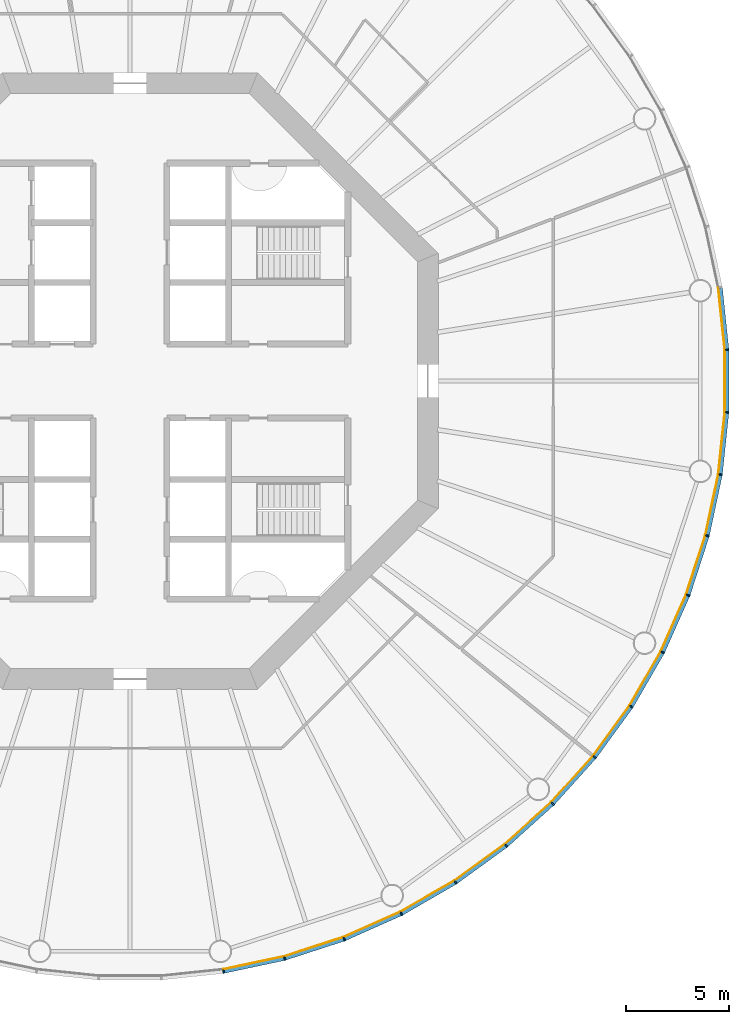
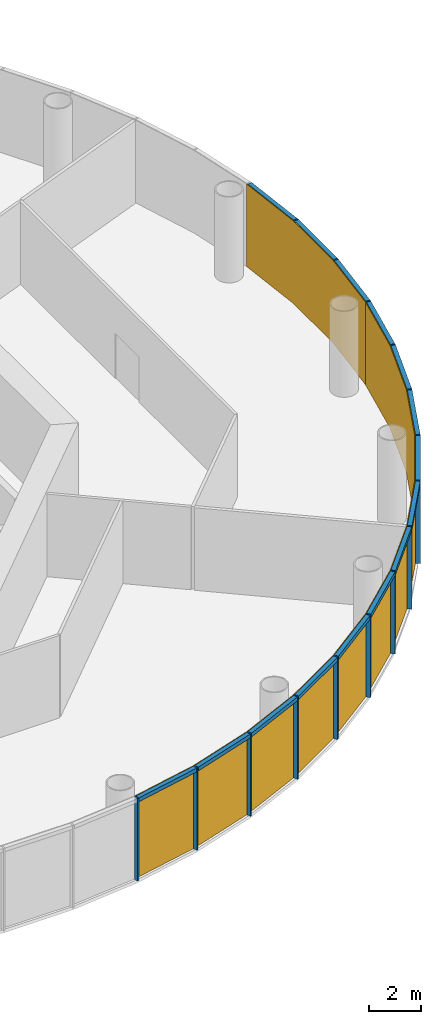
# One storey, part 8 of 12: 30 members, 5 curtain walls.
"""IFC4 building model written with IfcOpenShell, lengths in metres."""

import ifcopenshell
import ifcopenshell.guid

model = None  # the IFC model being written
_history = None  # IfcOwnerHistory: only IFC2X3 demands one
_inside = {}  # id of a spatial element -> (the spatial element, [elements in it])
_under = {}  # id of a project, library or spatial element -> (it, [spatial elements below it])
_declared = {}  # id of a project -> (the project, [libraries it declares])
_typed = {}  # id of a type object -> (the type object, [elements of that type])
_made_of = {}  # id of a material, layer set ... -> (it, [elements and type objects made of it])


def new_model(schema):
    """Start an empty IFC model of exactly this schema.

    Asked for "IFC4X3", IfcOpenShell would pick the latest addendum, in which some entities
    have other attributes; the version numbers below select the first issue.
    IFC2X3 requires an IfcOwnerHistory on every rooted entity: one is made here for all.
    """
    global model, _history
    if schema == "IFC4X3":
        model = ifcopenshell.file(schema_version=(4, 3, 0, 0))
    else:
        model = ifcopenshell.file(schema=schema)
    _inside.clear()
    _under.clear()
    _declared.clear()
    _typed.clear()
    _made_of.clear()
    _history = None
    if model.schema == "IFC2X3":
        org = make("IfcOrganization", Name="unknown")
        user = make(
            "IfcPersonAndOrganization",
            ThePerson=make("IfcPerson", FamilyName="unknown"),
            TheOrganization=org,
        )
        app = make(
            "IfcApplication",
            ApplicationDeveloper=org,
            Version="unknown",
            ApplicationFullName="unknown",
            ApplicationIdentifier="unknown",
        )
        _history = make(
            "IfcOwnerHistory",
            OwningUser=user,
            OwningApplication=app,
            ChangeAction="ADDED",
            CreationDate=0,
        )
    return model


def make(cls, **values):
    """One entity of the class cls with the attributes given. An attribute that is None is left unset."""
    return model.create_entity(
        cls, **{name: value for name, value in values.items() if value is not None}
    )


def rooted(cls, **values):
    """An entity with a GlobalId (a new one), such as an element, a storey or a relation."""
    return make(cls, GlobalId=ifcopenshell.guid.new(), OwnerHistory=_history, **values)


def si_unit(unit_type, name, prefix=None):
    """IfcSIUnit, for example si_unit("LENGTHUNIT", "METRE", prefix="MILLI")."""
    return make("IfcSIUnit", UnitType=unit_type, Prefix=prefix, Name=name)


def assignment(units):
    """IfcUnitAssignment: the units of a project."""
    return None if units is None else make("IfcUnitAssignment", Units=units)


def point(xyz):
    """IfcCartesianPoint."""
    return None if xyz is None else make("IfcCartesianPoint", Coordinates=xyz)


def direction(xyz):
    """IfcDirection."""
    return None if xyz is None else make("IfcDirection", DirectionRatios=xyz)


def frame(location, z_axis=None, x_axis=None):
    """IfcAxis2Placement3D, a coordinate frame: its origin and axes. An axis left out is left unset."""
    return make(
        "IfcAxis2Placement3D",
        Location=point(location),
        Axis=direction(z_axis),
        RefDirection=direction(x_axis),
    )


def frame_2d(location, x_axis=None):
    """IfcAxis2Placement2D, a coordinate frame in the plane: its origin and x axis."""
    return make(
        "IfcAxis2Placement2D", Location=point(location), RefDirection=direction(x_axis)
    )


def origin():
    """The frame at (0, 0, 0) with its axes left unset."""
    return frame((0.0, 0.0, 0.0))


def origin_2d():
    """The frame at (0, 0) in the plane with its x axis left unset."""
    return frame_2d((0.0, 0.0))


def place(relative_to, where):
    """IfcLocalPlacement: puts the frame where relative to a parent placement (None: the world)."""
    return make(
        "IfcLocalPlacement", PlacementRelTo=relative_to, RelativePlacement=where
    )


def context(
    kind, dimensions, precision=None, world=None, true_north=None, identifier=None
):
    """IfcGeometricRepresentationContext, for example the 3D "Model" context."""
    return make(
        "IfcGeometricRepresentationContext",
        ContextIdentifier=identifier,
        ContextType=kind,
        CoordinateSpaceDimension=dimensions,
        Precision=precision,
        WorldCoordinateSystem=world,
        TrueNorth=true_north,
    )


def subcontext(parent, identifier, kind, view, scale=None):
    """IfcGeometricRepresentationSubContext, for example "Body" below "Model"."""
    return make(
        "IfcGeometricRepresentationSubContext",
        ContextIdentifier=identifier,
        ContextType=kind,
        ParentContext=parent,
        TargetScale=scale,
        TargetView=view,
    )


def project(units=None, contexts=None):
    """IfcProject with its units and contexts."""
    return rooted(
        "IfcProject",
        Name="project",
        RepresentationContexts=contexts,
        UnitsInContext=assignment(units),
    )


def spatial(cls, under=None, at=None, **own):
    """A site, building, storey or space (cls), placed at a placement, below another one or the project."""
    s = rooted(cls, ObjectPlacement=at, **own)
    if under is not None:
        _under.setdefault(under.id(), (under, []))[1].append(s)
    return s


def polyline(points):
    """IfcPolyline through the points."""
    return make("IfcPolyline", Points=[point(p) for p in points])


def profile(cls, at=None, kind="AREA", **sizes):
    """A parametric profile (cls). Its sizes go by their IFC names, for example OverallWidth=200.0."""
    return make(cls, ProfileType=kind, Position=at, **sizes)


def rectangle(**sizes):
    """IfcRectangleProfileDef."""
    return profile("IfcRectangleProfileDef", **sizes)


def outline(outer, holes=None, kind="AREA"):
    """IfcArbitraryClosedProfileDef: a profile drawn as a closed curve; with holes, ...WithVoids."""
    if holes is None:
        return make("IfcArbitraryClosedProfileDef", ProfileType=kind, OuterCurve=outer)
    return make(
        "IfcArbitraryProfileDefWithVoids",
        ProfileType=kind,
        OuterCurve=outer,
        InnerCurves=holes,
    )


def extrude(swept, where, along, depth):
    """IfcExtrudedAreaSolid: the profile swept, set in the frame where, extruded along a direction by depth."""
    return make(
        "IfcExtrudedAreaSolid",
        SweptArea=swept,
        Position=where,
        ExtrudedDirection=direction(along),
        Depth=depth,
    )


def shape(context_of_items, identifier, shape_type, items):
    """IfcShapeRepresentation: the items that make up one representation, for example the "Body"."""
    return make(
        "IfcShapeRepresentation",
        ContextOfItems=context_of_items,
        RepresentationIdentifier=identifier,
        RepresentationType=shape_type,
        Items=items,
    )


def material(Name=None, Category=None):
    """IfcMaterial."""
    return make("IfcMaterial", Name=Name, Category=Category)


def layer(
    of_material, thickness, ventilated=None, Name=None, Category=None, Priority=None
):
    """IfcMaterialLayer: one layer of a wall or slab, of a material (None: an air gap)."""
    return make(
        "IfcMaterialLayer",
        Material=of_material,
        LayerThickness=thickness,
        IsVentilated=ventilated,
        Name=Name,
        Category=Category,
        Priority=Priority,
    )


def layer_set(layers, Name=None):
    """IfcMaterialLayerSet."""
    return make("IfcMaterialLayerSet", MaterialLayers=layers, LayerSetName=Name)


def material_profile(
    of_material, cross_section, Name=None, Category=None, Priority=None
):
    """IfcMaterialProfile: a cross section and its material."""
    return make(
        "IfcMaterialProfile",
        Name=Name,
        Material=of_material,
        Profile=cross_section,
        Priority=Priority,
        Category=Category,
    )


def profile_set(profiles, Name=None, composite=None):
    """IfcMaterialProfileSet."""
    return make(
        "IfcMaterialProfileSet",
        Name=Name,
        MaterialProfiles=profiles,
        CompositeProfile=composite,
    )


def made_of(thing, what):
    """Note that an element or type object is made of a material, layer set ...; save() writes the relation."""
    if what is not None:
        _made_of.setdefault(what.id(), (what, []))[1].append(thing)
    return thing


def type_object(cls, material=None, **own):
    """A type object (cls), such as IfcWallType, which elements share."""
    return made_of(rooted(cls, **own), material)


def element(
    cls,
    number,
    at=None,
    inside=None,
    cuts=None,
    type_object=None,
    material=None,
    context=None,
    identifier="Body",
    shape_type=None,
    held_by="IfcProductDefinitionShape",
    body=None,
    shapes=None,
    **own,
):
    """One element of the class cls, such as IfcWall. Its Tag is "e" and its number.

    at: its placement. inside: the storey or other place that contains it. cuts: it is an
    opening in that element (IfcRelVoidsElement). A single representation is given by context,
    identifier, shape_type and body (its items); several are given by shapes. held_by: the class
    of the entity that holds the representations. save() writes the other relations.
    """
    e = rooted(cls, Tag="e%d" % number, ObjectPlacement=at, **own)
    if body is not None:
        shapes = [shape(context, identifier, shape_type, body)]
    if shapes is not None:
        e.Representation = make(held_by, Representations=shapes)
    if inside is not None:
        _inside.setdefault(inside.id(), (inside, []))[1].append(e)
    if cuts is not None:
        rooted(
            "IfcRelVoidsElement", RelatingBuildingElement=cuts, RelatedOpeningElement=e
        )
    if type_object is not None:
        _typed.setdefault(type_object.id(), (type_object, []))[1].append(e)
    return made_of(e, material)


def aggregate(whole, parts):
    """IfcRelAggregates: a whole, such as a stair, and the parts it consists of."""
    return rooted("IfcRelAggregates", RelatingObject=whole, RelatedObjects=parts)


def save(model, path):
    """Write the relations noted so far, then the file.

    IfcRelAggregates (storeys below a building ...), IfcRelContainedInSpatialStructure (elements
    in a storey), IfcRelDefinesByType, IfcRelAssociatesMaterial and IfcRelDeclares: one each for
    every whole, place, type object, material and project.
    """
    for whole, parts in _under.values():
        aggregate(whole, parts)
    for where, things in _inside.values():
        rooted(
            "IfcRelContainedInSpatialStructure",
            RelatedElements=things,
            RelatingStructure=where,
        )
    for kind, things in _typed.values():
        rooted("IfcRelDefinesByType", RelatedObjects=things, RelatingType=kind)
    for what, things in _made_of.values():
        rooted("IfcRelAssociatesMaterial", RelatedObjects=things, RelatingMaterial=what)
    for by, libraries in _declared.values():
        rooted("IfcRelDeclares", RelatingContext=by, RelatedDefinitions=libraries)
    model.write(path)


model = new_model("IFC4")

# Units and contexts
model_context = context("Model", 3, precision=1e-05, world=origin(), true_north=direction((0.0, 1.0)))
body_context = subcontext(model_context, "Body", "Model", "MODEL_VIEW")
ifc_project = project(units=[si_unit("LENGTHUNIT", "METRE"), si_unit("AREAUNIT", "SQUARE_METRE"), si_unit("VOLUMEUNIT", "CUBIC_METRE"), si_unit("PLANEANGLEUNIT", "RADIAN"), si_unit("MASSUNIT", "GRAM", prefix="KILO")], contexts=[model_context])

# Member
ifc_material_1 = material(Name="Anodised aluminium", Category="aluminium")
ifc_material_profile_1 = material_profile(ifc_material_1, rectangle(XDim=0.06494140625, YDim=0.18505859375, at=origin_2d()), Name="Mullion 65 x 185 mm anodised aluminium")
ifc_profile_set_1 = profile_set([ifc_material_profile_1], Name="Anodised aluminium")
member_type_1 = type_object("IfcMemberType", Name="Mullion 65 x 185 mm anodised aluminium", PredefinedType="MULLION", material=ifc_profile_set_1)
site_placement = place(None, origin())
building_placement = place(site_placement, origin())
storey_placement = place(building_placement, frame((0.0, 0.0, 152.0)))
member_1_placement = place(storey_placement, frame((94.551025390625, 51.265625, 0.0), z_axis=(0.0, 0.0, 1.0), x_axis=(0.987688340595, 0.15643446504, 0.0)))
member_1 = element("IfcMember", 1, at=member_1_placement, type_object=member_type_1, Name="MULLION L34-45", PredefinedType="MULLION", context=body_context, shape_type="SweptSolid", body=[
    extrude(rectangle(XDim=0.06494140625, YDim=0.18505859375, at=origin_2d()), origin(), (0.0, 0.0, 1.0), 3.85009765625),
])

member_2_placement = place(storey_placement, frame((97.52978515625, 51.898681640625, 0.0), z_axis=(0.0, 0.0, 1.0), x_axis=(0.965925826289, 0.258819045103, 0.0)))
member_2 = element("IfcMember", 2, at=member_2_placement, type_object=member_type_1, Name="MULLION L34-46", PredefinedType="MULLION", context=body_context, shape_type="SweptSolid", body=[
    extrude(rectangle(XDim=0.06494140625, YDim=0.18505859375, at=origin_2d()), origin(), (0.0, 0.0, 1.0), 3.85009765625),
])

member_3_placement = place(storey_placement, frame((100.42578125, 52.83984375, 0.0), z_axis=(0.0, 0.0, 1.0), x_axis=(0.933580426497, 0.358367949545, 0.0)))
member_3 = element("IfcMember", 3, at=member_3_placement, type_object=member_type_1, Name="MULLION L34-47", PredefinedType="MULLION", context=body_context, shape_type="SweptSolid", body=[
    extrude(rectangle(XDim=0.06494140625, YDim=0.18505859375, at=origin_2d()), origin(), (0.0, 0.0, 1.0), 3.85009765625),
])

member_4_placement = place(storey_placement, frame((103.207763671875, 54.078369140625, 0.0), z_axis=(0.0, 0.0, 1.0), x_axis=(0.891006524188, 0.45399049974, 0.0)))
member_4 = element("IfcMember", 4, at=member_4_placement, type_object=member_type_1, Name="MULLION L34-48", PredefinedType="MULLION", context=body_context, shape_type="SweptSolid", body=[
    extrude(rectangle(XDim=0.06494140625, YDim=0.18505859375, at=origin_2d()), origin(), (0.0, 0.0, 1.0), 3.85009765625),
])

member_5_placement = place(storey_placement, frame((105.844970703125, 55.60107421875, 0.0), z_axis=(0.0, 0.0, 1.0), x_axis=(0.838670567945, 0.544639035015, 0.0)))
member_5 = element("IfcMember", 5, at=member_5_placement, type_object=member_type_1, Name="MULLION L34-49", PredefinedType="MULLION", context=body_context, shape_type="SweptSolid", body=[
    extrude(rectangle(XDim=0.06494140625, YDim=0.18505859375, at=origin_2d()), origin(), (0.0, 0.0, 1.0), 3.85009765625),
])

member_6_placement = place(storey_placement, frame((108.30859375, 57.390869140625, 0.0), z_axis=(0.0, 0.0, 1.0), x_axis=(0.777145961457, 0.62932039105, 0.0)))
member_6 = element("IfcMember", 6, at=member_6_placement, type_object=member_type_1, Name="MULLION L34-50", PredefinedType="MULLION", context=body_context, shape_type="SweptSolid", body=[
    extrude(rectangle(XDim=0.06494140625, YDim=0.18505859375, at=origin_2d()), origin(), (0.0, 0.0, 1.0), 3.85009765625),
])

member_7_placement = place(storey_placement, frame((110.571533203125, 59.428466796875, 0.0), z_axis=(0.0, 0.0, 1.0), x_axis=(0.707106781187, 0.707106781187, 0.0)))
member_7 = element("IfcMember", 7, at=member_7_placement, type_object=member_type_1, Name="MULLION L34-51", PredefinedType="MULLION", context=body_context, shape_type="SweptSolid", body=[
    extrude(rectangle(XDim=0.06494140625, YDim=0.18505859375, at=origin_2d()), origin(), (0.0, 0.0, 1.0), 3.85009765625),
])

member_8_placement = place(storey_placement, frame((112.609130859375, 61.69140625, 0.0), z_axis=(0.0, 0.0, 1.0), x_axis=(0.62932039105, 0.777145961457, 0.0)))
member_8 = element("IfcMember", 8, at=member_8_placement, type_object=member_type_1, Name="MULLION L34-52", PredefinedType="MULLION", context=body_context, shape_type="SweptSolid", body=[
    extrude(rectangle(XDim=0.06494140625, YDim=0.18505859375, at=origin_2d()), origin(), (0.0, 0.0, 1.0), 3.85009765625),
])

member_9_placement = place(storey_placement, frame((114.39892578125, 64.155029296875, 0.0), z_axis=(0.0, 0.0, 1.0), x_axis=(0.544639035015, 0.838670567945, 0.0)))
member_9 = element("IfcMember", 9, at=member_9_placement, type_object=member_type_1, Name="MULLION L34-53", PredefinedType="MULLION", context=body_context, shape_type="SweptSolid", body=[
    extrude(rectangle(XDim=0.06494140625, YDim=0.18505859375, at=origin_2d()), origin(), (0.0, 0.0, 1.0), 3.85009765625),
])

member_10_placement = place(storey_placement, frame((115.921630859375, 66.792236328125, 0.0), z_axis=(0.0, 0.0, 1.0), x_axis=(0.45399049974, 0.891006524188, 0.0)))
member_10 = element("IfcMember", 10, at=member_10_placement, type_object=member_type_1, Name="MULLION L34-54", PredefinedType="MULLION", context=body_context, shape_type="SweptSolid", body=[
    extrude(rectangle(XDim=0.06494140625, YDim=0.18505859375, at=origin_2d()), origin(), (0.0, 0.0, 1.0), 3.85009765625),
])

member_11_placement = place(storey_placement, frame((117.16015625, 69.57421875, 0.0), z_axis=(0.0, 0.0, 1.0), x_axis=(0.358367949545, 0.933580426497, 0.0)))
member_11 = element("IfcMember", 11, at=member_11_placement, type_object=member_type_1, Name="MULLION L34-55", PredefinedType="MULLION", context=body_context, shape_type="SweptSolid", body=[
    extrude(rectangle(XDim=0.06494140625, YDim=0.18505859375, at=origin_2d()), origin(), (0.0, 0.0, 1.0), 3.85009765625),
])

member_12_placement = place(storey_placement, frame((118.101318359375, 72.47021484375, 0.0), z_axis=(0.0, 0.0, 1.0), x_axis=(0.258819045103, 0.965925826289, 0.0)))
member_12 = element("IfcMember", 12, at=member_12_placement, type_object=member_type_1, Name="MULLION L34-56", PredefinedType="MULLION", context=body_context, shape_type="SweptSolid", body=[
    extrude(rectangle(XDim=0.06494140625, YDim=0.18505859375, at=origin_2d()), origin(), (0.0, 0.0, 1.0), 3.85009765625),
])

member_13_placement = place(storey_placement, frame((118.734375, 75.448974609375, 0.0), z_axis=(0.0, 0.0, 1.0), x_axis=(0.15643446504, 0.987688340595, 0.0)))
member_13 = element("IfcMember", 13, at=member_13_placement, type_object=member_type_1, Name="MULLION L34-57", PredefinedType="MULLION", context=body_context, shape_type="SweptSolid", body=[
    extrude(rectangle(XDim=0.06494140625, YDim=0.18505859375, at=origin_2d()), origin(), (0.0, 0.0, 1.0), 3.85009765625),
])

member_14_placement = place(storey_placement, frame((119.052734375, 78.477294921875, 0.0), z_axis=(0.0, 0.0, 1.0), x_axis=(0.052335956243, 0.998629534755, 0.0)))
member_14 = element("IfcMember", 14, at=member_14_placement, type_object=member_type_1, Name="MULLION L34-58", PredefinedType="MULLION", context=body_context, shape_type="SweptSolid", body=[
    extrude(rectangle(XDim=0.06494140625, YDim=0.18505859375, at=origin_2d()), origin(), (0.0, 0.0, 1.0), 3.85009765625),
])

member_15_placement = place(storey_placement, frame((119.052734375, 81.522705078125, 0.0), z_axis=(0.0, 0.0, 1.0), x_axis=(-0.052335956243, 0.998629534755, 0.0)))
member_15 = element("IfcMember", 15, at=member_15_placement, type_object=member_type_1, Name="MULLION L34-59", PredefinedType="MULLION", context=body_context, shape_type="SweptSolid", body=[
    extrude(rectangle(XDim=0.06494140625, YDim=0.18505859375, at=origin_2d()), origin(), (0.0, 0.0, 1.0), 3.85009765625),
])

ifc_material_2 = material(Name="Anodised aluminium", Category="aluminium")
ifc_material_profile_2 = material_profile(ifc_material_2, rectangle(XDim=0.18505859375, YDim=0.175048828125, at=origin_2d()), Name="Transom 175 x 185 mm anodised aluminium")
ifc_profile_set_2 = profile_set([ifc_material_profile_2], Name="Anodised aluminium")
member_type_2 = type_object("IfcMemberType", Name="Transom 175 x 185 mm anodised aluminium", PredefinedType="USERDEFINED", material=ifc_profile_set_2)
member_16_placement = place(storey_placement, frame((94.587646484375, 51.2734375, 3.762451171875), z_axis=(0.97815822425, 0.207861704825, 0.0), x_axis=(-0.207861704825, 0.97815822425, 0.0)))
member_16 = element("IfcMember", 16, at=member_16_placement, type_object=member_type_2, Name="TRANSOM L34-45", ObjectType="TRANSOM", PredefinedType="USERDEFINED", context=body_context, shape_type="SweptSolid", body=[
    extrude(rectangle(XDim=0.18505859375, YDim=0.175048828125, at=origin_2d()), origin(), (0.0, 0.0, 1.0), 2.970458984375),
])

member_17_placement = place(storey_placement, frame((97.565185546875, 51.91015625, 3.762451171875), z_axis=(0.951055809184, 0.30901917063, 0.0), x_axis=(-0.30901917063, 0.951055809184, 0.0)))
member_17 = element("IfcMember", 17, at=member_17_placement, type_object=member_type_2, Name="TRANSOM L34-46", ObjectType="TRANSOM", PredefinedType="USERDEFINED", context=body_context, shape_type="SweptSolid", body=[
    extrude(rectangle(XDim=0.18505859375, YDim=0.175048828125, at=origin_2d()), origin(), (0.0, 0.0, 1.0), 2.970703125),
])

member_18_placement = place(storey_placement, frame((100.4599609375, 52.85498046875, 3.762451171875), z_axis=(0.913567348806, 0.406687471156, 0.0), x_axis=(-0.406687471156, 0.913567348806, 0.0)))
member_18 = element("IfcMember", 18, at=member_18_placement, type_object=member_type_2, Name="TRANSOM L34-47", ObjectType="TRANSOM", PredefinedType="USERDEFINED", context=body_context, shape_type="SweptSolid", body=[
    extrude(rectangle(XDim=0.18505859375, YDim=0.175048828125, at=origin_2d()), origin(), (0.0, 0.0, 1.0), 2.970458984375),
])

member_19_placement = place(storey_placement, frame((103.240234375, 54.096923828125, 3.762451171875), z_axis=(0.866009025146, 0.500028367561, 0.0), x_axis=(-0.500028367561, 0.866009025146, 0.0)))
member_19 = element("IfcMember", 19, at=member_19_placement, type_object=member_type_2, Name="TRANSOM L34-48", ObjectType="TRANSOM", PredefinedType="USERDEFINED", context=body_context, shape_type="SweptSolid", body=[
    extrude(rectangle(XDim=0.18505859375, YDim=0.175048828125, at=origin_2d()), origin(), (0.0, 0.0, 1.0), 2.970458984375),
])

member_20_placement = place(storey_placement, frame((105.875244140625, 55.622802734375, 3.762451171875), z_axis=(0.808991906087, 0.587819781808, 0.0), x_axis=(-0.587819781808, 0.808991906087, 0.0)))
member_20 = element("IfcMember", 20, at=member_20_placement, type_object=member_type_2, Name="TRANSOM L34-49", ObjectType="TRANSOM", PredefinedType="USERDEFINED", context=body_context, shape_type="SweptSolid", body=[
    extrude(rectangle(XDim=0.18505859375, YDim=0.175048828125, at=origin_2d()), origin(), (0.0, 0.0, 1.0), 2.970458984375),
])

member_21_placement = place(storey_placement, frame((108.33642578125, 57.415771484375, 3.762451171875), z_axis=(0.743163354343, 0.669110027395, 0.0), x_axis=(-0.669110027395, 0.743163354343, 0.0)))
member_21 = element("IfcMember", 21, at=member_21_placement, type_object=member_type_2, Name="TRANSOM L34-50", ObjectType="TRANSOM", PredefinedType="USERDEFINED", context=body_context, shape_type="SweptSolid", body=[
    extrude(rectangle(XDim=0.18505859375, YDim=0.175048828125, at=origin_2d()), origin(), (0.0, 0.0, 1.0), 2.970458984375),
])

member_22_placement = place(storey_placement, frame((110.5966796875, 59.4560546875, 3.762451171875), z_axis=(0.669110027395, 0.743163354343, 0.0), x_axis=(-0.743163354343, 0.669110027395, 0.0)))
member_22 = element("IfcMember", 22, at=member_22_placement, type_object=member_type_2, Name="TRANSOM L34-51", ObjectType="TRANSOM", PredefinedType="USERDEFINED", context=body_context, shape_type="SweptSolid", body=[
    extrude(rectangle(XDim=0.18505859375, YDim=0.175048828125, at=origin_2d()), origin(), (0.0, 0.0, 1.0), 2.970458984375),
])

member_23_placement = place(storey_placement, frame((112.631103515625, 61.7216796875, 3.762451171875), z_axis=(0.587819781808, 0.808991906087, 0.0), x_axis=(-0.808991906087, 0.587819781808, 0.0)))
member_23 = element("IfcMember", 23, at=member_23_placement, type_object=member_type_2, Name="TRANSOM L34-52", ObjectType="TRANSOM", PredefinedType="USERDEFINED", context=body_context, shape_type="SweptSolid", body=[
    extrude(rectangle(XDim=0.18505859375, YDim=0.175048828125, at=origin_2d()), origin(), (0.0, 0.0, 1.0), 2.970458984375),
])

member_24_placement = place(storey_placement, frame((114.417724609375, 64.187255859375, 3.762451171875), z_axis=(0.500028367561, 0.866009025146, 0.0), x_axis=(-0.866009025146, 0.500028367561, 0.0)))
member_24 = element("IfcMember", 24, at=member_24_placement, type_object=member_type_2, Name="TRANSOM L34-53", ObjectType="TRANSOM", PredefinedType="USERDEFINED", context=body_context, shape_type="SweptSolid", body=[
    extrude(rectangle(XDim=0.18505859375, YDim=0.175048828125, at=origin_2d()), origin(), (0.0, 0.0, 1.0), 2.970458984375),
])

member_25_placement = place(storey_placement, frame((115.93701171875, 66.826416015625, 3.762451171875), z_axis=(0.406687471156, 0.913567348806, 0.0), x_axis=(-0.913567348806, 0.406687471156, 0.0)))
member_25 = element("IfcMember", 25, at=member_25_placement, type_object=member_type_2, Name="TRANSOM L34-54", ObjectType="TRANSOM", PredefinedType="USERDEFINED", context=body_context, shape_type="SweptSolid", body=[
    extrude(rectangle(XDim=0.18505859375, YDim=0.175048828125, at=origin_2d()), origin(), (0.0, 0.0, 1.0), 2.970458984375),
])

member_26_placement = place(storey_placement, frame((117.171875, 69.609619140625, 3.762451171875), z_axis=(0.30901917063, 0.951055809184, 0.0), x_axis=(-0.951055809184, 0.30901917063, 0.0)))
member_26 = element("IfcMember", 26, at=member_26_placement, type_object=member_type_2, Name="TRANSOM L34-55", ObjectType="TRANSOM", PredefinedType="USERDEFINED", context=body_context, shape_type="SweptSolid", body=[
    extrude(rectangle(XDim=0.18505859375, YDim=0.175048828125, at=origin_2d()), origin(), (0.0, 0.0, 1.0), 2.970703125),
])

member_27_placement = place(storey_placement, frame((118.109130859375, 72.5068359375, 3.762451171875), z_axis=(0.207861704825, 0.97815822425, 0.0), x_axis=(-0.97815822425, 0.207861704825, 0.0)))
member_27 = element("IfcMember", 27, at=member_27_placement, type_object=member_type_2, Name="TRANSOM L34-56", ObjectType="TRANSOM", PredefinedType="USERDEFINED", context=body_context, shape_type="SweptSolid", body=[
    extrude(rectangle(XDim=0.18505859375, YDim=0.175048828125, at=origin_2d()), origin(), (0.0, 0.0, 1.0), 2.970458984375),
])

member_28_placement = place(storey_placement, frame((118.73828125, 75.486083984375, 3.762451171875), z_axis=(0.104547872381, 0.994519855197, 0.0), x_axis=(-0.994519855197, 0.104547872381, 0.0)))
member_28 = element("IfcMember", 28, at=member_28_placement, type_object=member_type_2, Name="TRANSOM L34-57", ObjectType="TRANSOM", PredefinedType="USERDEFINED", context=body_context, shape_type="SweptSolid", body=[
    extrude(rectangle(XDim=0.18505859375, YDim=0.175048828125, at=origin_2d()), origin(), (0.0, 0.0, 1.0), 2.970458984375),
])

member_29_placement = place(storey_placement, frame((119.052734375, 78.5146484375, 3.762451171875), z_axis=(0.0, 1.0, 0.0), x_axis=(-1.0, 0.0, 0.0)))
member_29 = element("IfcMember", 29, at=member_29_placement, type_object=member_type_2, Name="TRANSOM L34-58", ObjectType="TRANSOM", PredefinedType="USERDEFINED", context=body_context, shape_type="SweptSolid", body=[
    extrude(rectangle(XDim=0.18505859375, YDim=0.175048828125, at=origin_2d()), origin(), (0.0, 0.0, 1.0), 2.970703125),
])

member_30_placement = place(storey_placement, frame((119.048828125, 81.559814453125, 3.762451171875), z_axis=(-0.104547872381, 0.994519855197, 0.0), x_axis=(-0.994519855197, -0.104547872381, 0.0)))
member_30 = element("IfcMember", 30, at=member_30_placement, type_object=member_type_2, Name="TRANSOM L34-59", ObjectType="TRANSOM", PredefinedType="USERDEFINED", context=body_context, shape_type="SweptSolid", body=[
    extrude(rectangle(XDim=0.18505859375, YDim=0.175048828125, at=origin_2d()), origin(), (0.0, 0.0, 1.0), 2.970458984375),
])

# Site, building, storey
site = spatial("IfcSite", under=ifc_project, at=site_placement, CompositionType="ELEMENT")
building = spatial("IfcBuilding", under=site, at=building_placement, Name="Entoto Ring Tower", CompositionType="ELEMENT")
storey = spatial("IfcBuildingStorey", under=building, at=storey_placement, Name="L34", CompositionType="ELEMENT", Elevation=152.0)

# Curtain wall
ifc_material_3 = material(Name="Clear low-iron glass", Category="glass")
ifc_layer = layer(ifc_material_3, 0.033935546875)
ifc_layer_set = layer_set([ifc_layer], Name="Clear low-iron glass")
curtain_wall_type = type_object("IfcCurtainWallType", Name="Curtain wall system CW3 glazing 34 mm", PredefinedType="NOTDEFINED", material=ifc_layer_set)
curtain_wall_1_placement = place(storey_placement, origin())
curtain_wall_1 = element("IfcCurtainWall", 31, at=curtain_wall_1_placement, inside=storey, type_object=curtain_wall_type, Name="CW3 L34-16", PredefinedType="NOTDEFINED", context=body_context, shape_type="SweptSolid", body=[
    extrude(outline(polyline([(94.53662109375, 51.35693359375), (97.505859375, 51.988037109375), (100.392578125, 52.92626953125), (103.165771484375, 54.160888671875), (103.150146484375, 54.191162109375), (100.38037109375, 52.9580078125), (97.496826171875, 52.02099609375), (94.53125, 51.390625), (94.53662109375, 51.35693359375)])), origin(), (0.0, 0.0, 1.0), 3.85009765625),
])

aggregate(curtain_wall_1, [member_1, member_2, member_3, member_16, member_17, member_18])

curtain_wall_2_placement = place(storey_placement, origin())
curtain_wall_2 = element("IfcCurtainWall", 32, at=curtain_wall_2_placement, inside=storey, type_object=curtain_wall_type, Name="CW3 L34-17", PredefinedType="NOTDEFINED", context=body_context, shape_type="SweptSolid", body=[
    extrude(outline(polyline([(103.165771484375, 54.160888671875), (105.79443359375, 55.678466796875), (108.250244140625, 57.462646484375), (110.506103515625, 59.493896484375), (110.48193359375, 59.51806640625), (108.228759765625, 57.4892578125), (105.77587890625, 55.70703125), (103.150146484375, 54.191162109375), (103.165771484375, 54.160888671875)])), origin(), (0.0, 0.0, 1.0), 3.85009765625),
])

aggregate(curtain_wall_2, [member_4, member_5, member_6, member_19, member_20, member_21])

curtain_wall_3_placement = place(storey_placement, origin())
curtain_wall_3 = element("IfcCurtainWall", 33, at=curtain_wall_3_placement, inside=storey, type_object=curtain_wall_type, Name="CW3 L34-18", PredefinedType="NOTDEFINED", context=body_context, shape_type="SweptSolid", body=[
    extrude(outline(polyline([(110.506103515625, 59.493896484375), (112.537353515625, 61.749755859375), (114.321533203125, 64.20556640625), (115.839111328125, 66.834228515625), (115.808837890625, 66.849853515625), (114.29296875, 64.22412109375), (112.5107421875, 61.771240234375), (110.48193359375, 59.51806640625), (110.506103515625, 59.493896484375)])), origin(), (0.0, 0.0, 1.0), 3.85009765625),
])

aggregate(curtain_wall_3, [member_7, member_8, member_9, member_22, member_23, member_24])

curtain_wall_4_placement = place(storey_placement, origin())
curtain_wall_4 = element("IfcCurtainWall", 34, at=curtain_wall_4_placement, inside=storey, type_object=curtain_wall_type, Name="CW3 L34-19", PredefinedType="NOTDEFINED", context=body_context, shape_type="SweptSolid", body=[
    extrude(outline(polyline([(115.839111328125, 66.834228515625), (117.07373046875, 69.607421875), (118.011962890625, 72.494140625), (118.64306640625, 75.46337890625), (118.609375, 75.46875), (117.97900390625, 72.503173828125), (117.0419921875, 69.61962890625), (115.808837890625, 66.849853515625), (115.839111328125, 66.834228515625)])), origin(), (0.0, 0.0, 1.0), 3.85009765625),
])

aggregate(curtain_wall_4, [member_10, member_11, member_12, member_25, member_26, member_27])

curtain_wall_5_placement = place(storey_placement, origin())
curtain_wall_5 = element("IfcCurtainWall", 35, at=curtain_wall_5_placement, inside=storey, type_object=curtain_wall_type, Name="CW3 L34-20", PredefinedType="NOTDEFINED", context=body_context, shape_type="SweptSolid", body=[
    extrude(outline(polyline([(118.64306640625, 75.46337890625), (118.960205078125, 78.482177734375), (118.960205078125, 81.517822265625), (118.64306640625, 84.53662109375), (118.609375, 84.53125), (118.92626953125, 81.515869140625), (118.92626953125, 78.484130859375), (118.609375, 75.46875), (118.64306640625, 75.46337890625)])), origin(), (0.0, 0.0, 1.0), 3.85009765625),
])

aggregate(curtain_wall_5, [member_13, member_14, member_15, member_28, member_29, member_30])

save(model, "model.ifc")
